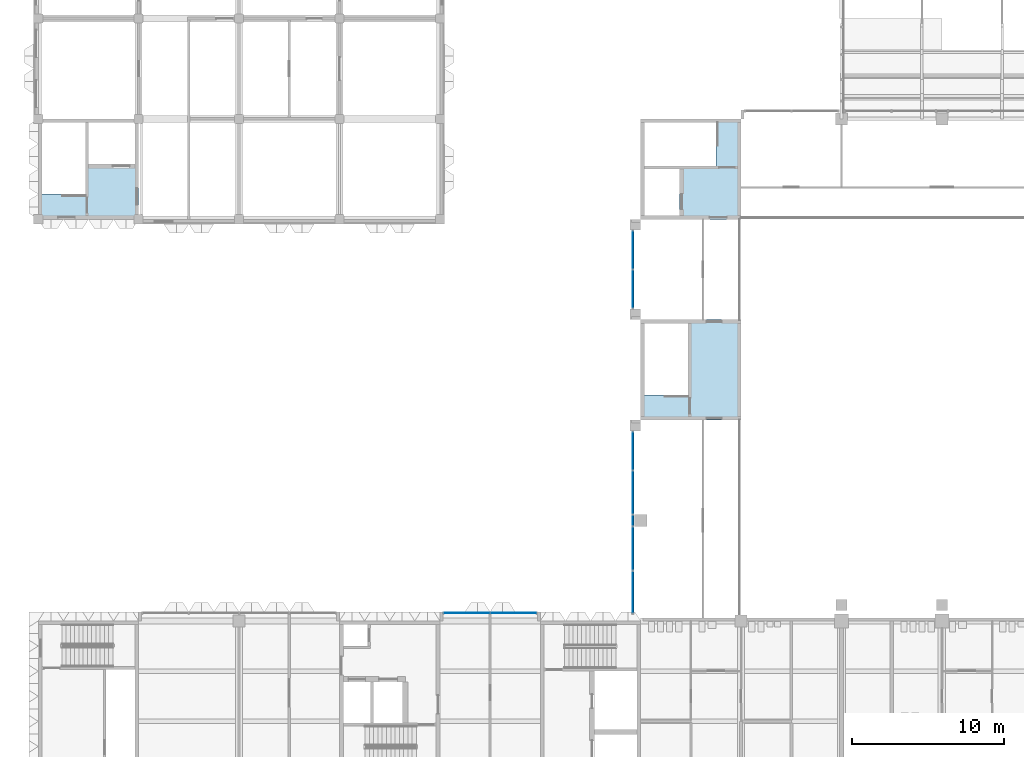
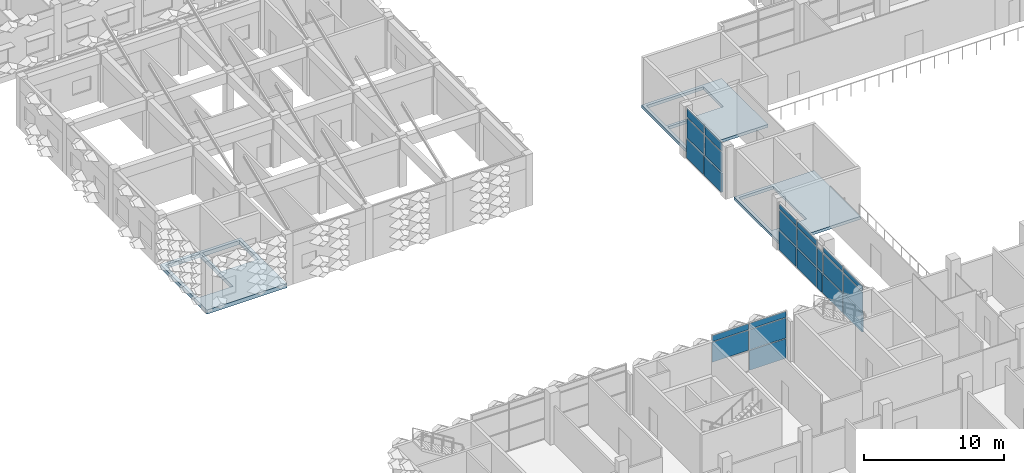
# One storey, part 35 of 102: 25 plates, 3 slabs, 3 elements without a shape of their own.
"""IFC4 building model written with IfcOpenShell, lengths in metres."""

from ifc_helpers import new_model, si_unit, direction, frame, origin, origin_2d, place, context, subcontext, project, spatial, polyline, rectangle, outline, extrude, material, layer, layer_set, type_object, element, aggregate, save


model = new_model("IFC4")

# Units and contexts
model_context = context("Model", 3, precision=1e-05, world=origin(), true_north=direction((0.0, 1.0)))
body_context = subcontext(model_context, "Body", "Model", "MODEL_VIEW")
ifc_project = project(units=[si_unit("LENGTHUNIT", "METRE"), si_unit("AREAUNIT", "SQUARE_METRE"), si_unit("VOLUMEUNIT", "CUBIC_METRE"), si_unit("PLANEANGLEUNIT", "RADIAN"), si_unit("MASSUNIT", "GRAM", prefix="KILO")], contexts=[model_context])

# Site, building, storey
site_placement = place(None, origin())
site = spatial("IfcSite", under=ifc_project, at=site_placement, CompositionType="ELEMENT")
building_placement = place(site_placement, origin())
building = spatial("IfcBuilding", under=site, at=building_placement, Name="Lantern Court Research Institute", CompositionType="ELEMENT")
storey_placement = place(building_placement, frame((0.0, 0.0, 9.89990234375)))
storey = spatial("IfcBuildingStorey", under=building, at=storey_placement, Name="L02", CompositionType="ELEMENT", Elevation=9.89990234375)

# Curtain wall, plates
ifc_material_1 = material(Name="Aluminium alloy 6063-T6", Category="aluminium")
curtain_wall_type_1 = type_object("IfcCurtainWallType", Name="Curtain wall 12050 x 4200 x 150 aluminium frame", PredefinedType="NOTDEFINED", material=ifc_material_1)
curtain_wall_1_placement = place(storey_placement, origin())
curtain_wall_1 = element("IfcCurtainWall", 1, at=curtain_wall_1_placement, inside=storey, type_object=curtain_wall_type_1, Name="Curtain wall CW037", PredefinedType="NOTDEFINED")
ifc_material_2 = material(Name="Fire-resisting insulated aluminium spandrel panel", Category="aluminium")
ifc_layer_1 = layer(ifc_material_2, 0.1201171875)
ifc_layer_set_1 = layer_set([ifc_layer_1], Name="Fire-resisting insulated aluminium spandrel panel")
plate_type_1 = type_object("IfcPlateType", Name="Fire-resisting spandrel panel 120 mm", PredefinedType="CURTAIN_PANEL", material=ifc_layer_set_1)
plate_1_placement = place(storey_placement, frame((39.074951171875, 25.0, 0.10009765625), z_axis=(0.0, 0.0, 1.0), x_axis=(0.0, 1.0, 0.0)))
plate_1 = element("IfcPlate", 2, at=plate_1_placement, type_object=plate_type_1, Name="CW037 spandrel panel 1.1", PredefinedType="CURTAIN_PANEL", context=body_context, shape_type="SweptSolid", body=[
    extrude(rectangle(XDim=2.699951171875, YDim=0.1201171875, at=origin_2d()), origin(), (0.0, 0.0, 1.0), 1.64990234375),
])
plate_2_placement = place(storey_placement, frame((39.074951171875, 27.85009765625, 0.10009765625), z_axis=(0.0, 0.0, 1.0), x_axis=(0.0, 1.0, 0.0)))
plate_2 = element("IfcPlate", 3, at=plate_2_placement, type_object=plate_type_1, Name="CW037 spandrel panel 2.1", PredefinedType="CURTAIN_PANEL", context=body_context, shape_type="SweptSolid", body=[
    extrude(rectangle(XDim=2.800048828125, YDim=0.1201171875, at=origin_2d()), origin(), (0.0, 0.0, 1.0), 1.64990234375),
])
plate_3_placement = place(storey_placement, frame((39.074951171875, 29.699951171875, 0.10009765625), z_axis=(0.0, 0.0, 1.0), x_axis=(0.0, 1.0, 0.0)))
plate_3 = element("IfcPlate", 4, at=plate_3_placement, type_object=plate_type_1, Name="CW037 spandrel panel 3.1", PredefinedType="CURTAIN_PANEL", context=body_context, shape_type="SweptSolid", body=[
    extrude(rectangle(XDim=0.699951171875, YDim=0.1201171875, at=origin_2d()), origin(), (0.0, 0.0, 1.0), 1.64990234375),
])
plate_4_placement = place(storey_placement, frame((39.074951171875, 31.550048828125, 0.10009765625), z_axis=(0.0, 0.0, 1.0), x_axis=(0.0, 1.0, 0.0)))
plate_4 = element("IfcPlate", 5, at=plate_4_placement, type_object=plate_type_1, Name="CW037 spandrel panel 4.1", PredefinedType="CURTAIN_PANEL", context=body_context, shape_type="SweptSolid", body=[
    extrude(rectangle(XDim=2.800048828125, YDim=0.1201171875, at=origin_2d()), origin(), (0.0, 0.0, 1.0), 1.64990234375),
])
plate_5_placement = place(storey_placement, frame((39.074951171875, 34.27490234375, 0.10009765625), z_axis=(0.0, 0.0, 1.0), x_axis=(0.0, 1.0, 0.0)))
plate_5 = element("IfcPlate", 6, at=plate_5_placement, type_object=plate_type_1, Name="CW037 spandrel panel 5.1", PredefinedType="CURTAIN_PANEL", context=body_context, shape_type="SweptSolid", body=[
    extrude(rectangle(XDim=2.449951171875, YDim=0.1201171875, at=origin_2d()), origin(), (0.0, 0.0, 1.0), 1.64990234375),
])

ifc_material_3 = material(Name="Aluminium alloy 6063-T6", Category="aluminium")
curtain_wall_type_2 = type_object("IfcCurtainWallType", Name="Curtain wall 5200 x 4500 x 150 aluminium frame", PredefinedType="NOTDEFINED", material=ifc_material_3)
curtain_wall_2_placement = place(storey_placement, origin())
curtain_wall_2 = element("IfcCurtainWall", 7, at=curtain_wall_2_placement, inside=storey, type_object=curtain_wall_type_2, Name="Curtain wall CW038", PredefinedType="NOTDEFINED")
plate_6_placement = place(storey_placement, frame((39.074951171875, 44.925048828125, 0.10009765625), z_axis=(0.0, 0.0, 1.0), x_axis=(0.0, 1.0, 0.0)))
plate_6 = element("IfcPlate", 8, at=plate_6_placement, type_object=plate_type_1, Name="CW038 spandrel panel 1.1", PredefinedType="CURTAIN_PANEL", context=body_context, shape_type="SweptSolid", body=[
    extrude(rectangle(XDim=2.449951171875, YDim=0.1201171875, at=origin_2d()), origin(), (0.0, 0.0, 1.0), 1.64990234375),
])
plate_7_placement = place(storey_placement, frame((39.074951171875, 47.47509765625, 0.10009765625), z_axis=(0.0, 0.0, 1.0), x_axis=(0.0, 1.0, 0.0)))
plate_7 = element("IfcPlate", 9, at=plate_7_placement, type_object=plate_type_1, Name="CW038 spandrel panel 2.1", PredefinedType="CURTAIN_PANEL", context=body_context, shape_type="SweptSolid", body=[
    extrude(rectangle(XDim=2.449951171875, YDim=0.1201171875, at=origin_2d()), origin(), (0.0, 0.0, 1.0), 1.64990234375),
])

# Curtain wall, plate
ifc_material_4 = material(Name="Aluminium alloy 6063-T6", Category="aluminium")
curtain_wall_type_3 = type_object("IfcCurtainWallType", Name="Curtain wall 6200 x 4200 x 150 aluminium frame", PredefinedType="NOTDEFINED", material=ifc_material_4)
curtain_wall_3_placement = place(storey_placement, origin())
curtain_wall_3 = element("IfcCurtainWall", 10, at=curtain_wall_3_placement, inside=storey, type_object=curtain_wall_type_3, Name="Curtain wall CW040", PredefinedType="NOTDEFINED")
ifc_material_5 = material(Name="Insulated aluminium spandrel panel", Category="aluminium")
ifc_layer_2 = layer(ifc_material_5, 0.06005859375)
ifc_layer_set_2 = layer_set([ifc_layer_2], Name="Insulated aluminium spandrel panel")
plate_type_2 = type_object("IfcPlateType", Name="Insulated spandrel panel 60 mm", PredefinedType="CURTAIN_PANEL", material=ifc_layer_set_2)
plate_8_placement = place(storey_placement, frame((31.235107421875, 23.625, 0.06005859375), z_axis=(0.0, 0.0, 1.0), x_axis=(1.0, 0.0, 0.0)))
plate_8 = element("IfcPlate", 11, at=plate_8_placement, type_object=plate_type_2, Name="CW040 spandrel panel 2.1", PredefinedType="CURTAIN_PANEL", context=body_context, shape_type="SweptSolid", body=[
    extrude(rectangle(XDim=3.010009765625, YDim=0.06005859375, at=origin_2d()), origin(), (0.0, 0.0, 1.0), 1.7099609375),
])

# Plate
ifc_material_6 = material(Name="Laminated low-emissivity glass", Category="glass")
ifc_layer_3 = layer(ifc_material_6, 0.028076171875)
ifc_layer_set_3 = layer_set([ifc_layer_3], Name="Laminated low-emissivity glass")
plate_type_3 = type_object("IfcPlateType", Name="Laminated low-emissivity unit 28 mm", PredefinedType="CURTAIN_PANEL", material=ifc_layer_set_3)
plate_9_placement = place(storey_placement, frame((39.074951171875, 25.0, 1.85009765625), z_axis=(0.0, 0.0, 1.0), x_axis=(0.0, 1.0, 0.0)))
plate_9 = element("IfcPlate", 12, at=plate_9_placement, type_object=plate_type_3, Name="CW037 glazed panel 1.2", PredefinedType="CURTAIN_PANEL", context=body_context, shape_type="SweptSolid", body=[
    extrude(rectangle(XDim=2.699951171875, YDim=0.028076171875, at=origin_2d()), origin(), (0.0, 0.0, 1.0), 1.699951171875),
])

plate_10_placement = place(storey_placement, frame((39.074951171875, 25.0, 3.64990234375), z_axis=(0.0, 0.0, 1.0), x_axis=(0.0, 1.0, 0.0)))
plate_10 = element("IfcPlate", 13, at=plate_10_placement, type_object=plate_type_3, Name="CW037 glazed panel 1.3", PredefinedType="CURTAIN_PANEL", context=body_context, shape_type="SweptSolid", body=[
    extrude(rectangle(XDim=2.699951171875, YDim=0.028076171875, at=origin_2d()), origin(), (0.0, 0.0, 1.0), 0.449951171875),
])

plate_11_placement = place(storey_placement, frame((39.074951171875, 27.85009765625, 1.85009765625), z_axis=(0.0, 0.0, 1.0), x_axis=(0.0, 1.0, 0.0)))
plate_11 = element("IfcPlate", 14, at=plate_11_placement, type_object=plate_type_3, Name="CW037 glazed panel 2.2", PredefinedType="CURTAIN_PANEL", context=body_context, shape_type="SweptSolid", body=[
    extrude(rectangle(XDim=2.800048828125, YDim=0.028076171875, at=origin_2d()), origin(), (0.0, 0.0, 1.0), 1.699951171875),
])

plate_12_placement = place(storey_placement, frame((39.074951171875, 27.85009765625, 3.64990234375), z_axis=(0.0, 0.0, 1.0), x_axis=(0.0, 1.0, 0.0)))
plate_12 = element("IfcPlate", 15, at=plate_12_placement, type_object=plate_type_3, Name="CW037 glazed panel 2.3", PredefinedType="CURTAIN_PANEL", context=body_context, shape_type="SweptSolid", body=[
    extrude(rectangle(XDim=2.800048828125, YDim=0.028076171875, at=origin_2d()), origin(), (0.0, 0.0, 1.0), 0.449951171875),
])

plate_13_placement = place(storey_placement, frame((39.074951171875, 29.699951171875, 1.85009765625), z_axis=(0.0, 0.0, 1.0), x_axis=(0.0, 1.0, 0.0)))
plate_13 = element("IfcPlate", 16, at=plate_13_placement, type_object=plate_type_3, Name="CW037 glazed panel 3.2", PredefinedType="CURTAIN_PANEL", context=body_context, shape_type="SweptSolid", body=[
    extrude(rectangle(XDim=0.699951171875, YDim=0.028076171875, at=origin_2d()), origin(), (0.0, 0.0, 1.0), 1.699951171875),
])

plate_14_placement = place(storey_placement, frame((39.074951171875, 31.550048828125, 1.85009765625), z_axis=(0.0, 0.0, 1.0), x_axis=(0.0, 1.0, 0.0)))
plate_14 = element("IfcPlate", 17, at=plate_14_placement, type_object=plate_type_3, Name="CW037 glazed panel 4.2", PredefinedType="CURTAIN_PANEL", context=body_context, shape_type="SweptSolid", body=[
    extrude(rectangle(XDim=2.800048828125, YDim=0.028076171875, at=origin_2d()), origin(), (0.0, 0.0, 1.0), 1.699951171875),
])

plate_15_placement = place(storey_placement, frame((39.074951171875, 31.550048828125, 3.64990234375), z_axis=(0.0, 0.0, 1.0), x_axis=(0.0, 1.0, 0.0)))
plate_15 = element("IfcPlate", 18, at=plate_15_placement, type_object=plate_type_3, Name="CW037 glazed panel 4.3", PredefinedType="CURTAIN_PANEL", context=body_context, shape_type="SweptSolid", body=[
    extrude(rectangle(XDim=2.800048828125, YDim=0.028076171875, at=origin_2d()), origin(), (0.0, 0.0, 1.0), 0.449951171875),
])

plate_16_placement = place(storey_placement, frame((39.074951171875, 34.27490234375, 1.85009765625), z_axis=(0.0, 0.0, 1.0), x_axis=(0.0, 1.0, 0.0)))
plate_16 = element("IfcPlate", 19, at=plate_16_placement, type_object=plate_type_3, Name="CW037 glazed panel 5.2", PredefinedType="CURTAIN_PANEL", context=body_context, shape_type="SweptSolid", body=[
    extrude(rectangle(XDim=2.449951171875, YDim=0.028076171875, at=origin_2d()), origin(), (0.0, 0.0, 1.0), 1.699951171875),
])

plate_17_placement = place(storey_placement, frame((39.074951171875, 34.27490234375, 3.64990234375), z_axis=(0.0, 0.0, 1.0), x_axis=(0.0, 1.0, 0.0)))
plate_17 = element("IfcPlate", 20, at=plate_17_placement, type_object=plate_type_3, Name="CW037 glazed panel 5.3", PredefinedType="CURTAIN_PANEL", context=body_context, shape_type="SweptSolid", body=[
    extrude(rectangle(XDim=2.449951171875, YDim=0.028076171875, at=origin_2d()), origin(), (0.0, 0.0, 1.0), 0.449951171875),
])

aggregate(curtain_wall_1, [plate_1, plate_9, plate_10, plate_2, plate_11, plate_12, plate_3, plate_13, plate_4, plate_14, plate_15, plate_5, plate_16, plate_17])

plate_18_placement = place(storey_placement, frame((39.074951171875, 44.925048828125, 1.85009765625), z_axis=(0.0, 0.0, 1.0), x_axis=(0.0, 1.0, 0.0)))
plate_18 = element("IfcPlate", 21, at=plate_18_placement, type_object=plate_type_3, Name="CW038 glazed panel 1.2", PredefinedType="CURTAIN_PANEL", context=body_context, shape_type="SweptSolid", body=[
    extrude(rectangle(XDim=2.449951171875, YDim=0.028076171875, at=origin_2d()), origin(), (0.0, 0.0, 1.0), 1.699951171875),
])

plate_19_placement = place(storey_placement, frame((39.074951171875, 44.925048828125, 3.650146484375), z_axis=(0.0, 0.0, 1.0), x_axis=(0.0, 1.0, 0.0)))
plate_19 = element("IfcPlate", 22, at=plate_19_placement, type_object=plate_type_3, Name="CW038 glazed panel 1.3", PredefinedType="CURTAIN_PANEL", context=body_context, shape_type="SweptSolid", body=[
    extrude(rectangle(XDim=2.449951171875, YDim=0.028076171875, at=origin_2d()), origin(), (0.0, 0.0, 1.0), 0.75),
])

plate_20_placement = place(storey_placement, frame((39.074951171875, 47.47509765625, 1.85009765625), z_axis=(0.0, 0.0, 1.0), x_axis=(0.0, 1.0, 0.0)))
plate_20 = element("IfcPlate", 23, at=plate_20_placement, type_object=plate_type_3, Name="CW038 glazed panel 2.2", PredefinedType="CURTAIN_PANEL", context=body_context, shape_type="SweptSolid", body=[
    extrude(rectangle(XDim=2.449951171875, YDim=0.028076171875, at=origin_2d()), origin(), (0.0, 0.0, 1.0), 1.699951171875),
])

plate_21_placement = place(storey_placement, frame((39.074951171875, 47.47509765625, 3.650146484375), z_axis=(0.0, 0.0, 1.0), x_axis=(0.0, 1.0, 0.0)))
plate_21 = element("IfcPlate", 24, at=plate_21_placement, type_object=plate_type_3, Name="CW038 glazed panel 2.3", PredefinedType="CURTAIN_PANEL", context=body_context, shape_type="SweptSolid", body=[
    extrude(rectangle(XDim=2.449951171875, YDim=0.028076171875, at=origin_2d()), origin(), (0.0, 0.0, 1.0), 0.75),
])

aggregate(curtain_wall_2, [plate_6, plate_18, plate_19, plate_7, plate_20, plate_21])

plate_22_placement = place(storey_placement, frame((28.1650390625, 23.625, 1.830078125), z_axis=(0.0, 0.0, 1.0), x_axis=(1.0, 0.0, 0.0)))
plate_22 = element("IfcPlate", 25, at=plate_22_placement, type_object=plate_type_3, Name="CW040 glazed panel 1.2", PredefinedType="CURTAIN_PANEL", context=body_context, shape_type="SweptSolid", body=[
    extrude(rectangle(XDim=3.010009765625, YDim=0.028076171875, at=origin_2d()), origin(), (0.0, 0.0, 1.0), 1.739990234375),
])

plate_23_placement = place(storey_placement, frame((28.1650390625, 23.625, 3.6298828125), z_axis=(0.0, 0.0, 1.0), x_axis=(1.0, 0.0, 0.0)))
plate_23 = element("IfcPlate", 26, at=plate_23_placement, type_object=plate_type_3, Name="CW040 glazed panel 1.3", PredefinedType="CURTAIN_PANEL", context=body_context, shape_type="SweptSolid", body=[
    extrude(rectangle(XDim=3.010009765625, YDim=0.028076171875, at=origin_2d()), origin(), (0.0, 0.0, 1.0), 0.510009765625),
])

plate_24_placement = place(storey_placement, frame((31.235107421875, 23.625, 1.830078125), z_axis=(0.0, 0.0, 1.0), x_axis=(1.0, 0.0, 0.0)))
plate_24 = element("IfcPlate", 27, at=plate_24_placement, type_object=plate_type_3, Name="CW040 glazed panel 2.2", PredefinedType="CURTAIN_PANEL", context=body_context, shape_type="SweptSolid", body=[
    extrude(rectangle(XDim=3.010009765625, YDim=0.028076171875, at=origin_2d()), origin(), (0.0, 0.0, 1.0), 1.739990234375),
])

plate_25_placement = place(storey_placement, frame((31.235107421875, 23.625, 3.6298828125), z_axis=(0.0, 0.0, 1.0), x_axis=(1.0, 0.0, 0.0)))
plate_25 = element("IfcPlate", 28, at=plate_25_placement, type_object=plate_type_3, Name="CW040 glazed panel 2.3", PredefinedType="CURTAIN_PANEL", context=body_context, shape_type="SweptSolid", body=[
    extrude(rectangle(XDim=3.010009765625, YDim=0.028076171875, at=origin_2d()), origin(), (0.0, 0.0, 1.0), 0.510009765625),
])

aggregate(curtain_wall_3, [plate_22, plate_23, plate_8, plate_24, plate_25])

# Slabs
ifc_material_7 = material(Name="Concrete C35/45", Category="concrete")
ifc_layer_4 = layer(ifc_material_7, 0.25)
ifc_layer_set_4 = layer_set([ifc_layer_4], Name="Concrete C35/45")
slab_type_1 = type_object("IfcSlabType", Name="RC core floor slab 250", PredefinedType="FLOOR", material=ifc_layer_set_4)
slab_1_placement = place(storey_placement, frame((0.0, 0.0, -0.25)))
element("IfcSlab", 29, at=slab_1_placement, inside=storey, type_object=slab_type_1, Name="Floor of core HC-A", PredefinedType="FLOOR", context=body_context, shape_type="SweptSolid", body=[
    extrude(outline(polyline([(39.60009765625, 49.5), (46.199951171875, 49.5), (46.199951171875, 56.10009765625), (39.60009765625, 56.10009765625), (39.60009765625, 49.5)]), holes=[polyline([(44.550048828125, 55.85009765625), (39.85009765625, 55.85009765625), (39.85009765625, 53.0), (44.550048828125, 53.0), (44.550048828125, 55.85009765625)]), polyline([(39.85009765625, 49.75), (42.14990234375, 49.75), (42.14990234375, 52.800048828125), (39.85009765625, 52.800048828125), (39.85009765625, 49.75)])]), origin(), (0.0, 0.0, 1.0), 0.25),
])
slab_2_placement = place(storey_placement, frame((0.0, 0.0, -0.25)))
element("IfcSlab", 30, at=slab_2_placement, inside=storey, type_object=slab_type_1, Name="Floor of core HC-C", PredefinedType="FLOOR", context=body_context, shape_type="SweptSolid", body=[
    extrude(outline(polyline([(39.60009765625, 36.300048828125), (46.199951171875, 36.300048828125), (46.199951171875, 42.89990234375), (39.60009765625, 42.89990234375), (39.60009765625, 36.300048828125)]), holes=[polyline([(42.699951171875, 37.949951171875), (42.699951171875, 42.64990234375), (39.85009765625, 42.64990234375), (39.85009765625, 37.949951171875), (42.699951171875, 37.949951171875)])]), origin(), (0.0, 0.0, 1.0), 0.25),
])
ifc_material_8 = material(Name="Concrete C35/45", Category="concrete")
ifc_layer_5 = layer(ifc_material_8, 0.35009765625)
ifc_layer_set_5 = layer_set([ifc_layer_5], Name="Concrete C35/45")
slab_type_2 = type_object("IfcSlabType", Name="RC core floor slab 350", PredefinedType="FLOOR", material=ifc_layer_set_5)
slab_3_placement = place(storey_placement, frame((0.0, 0.0, -0.349853515625)))
element("IfcSlab", 31, at=slab_3_placement, inside=storey, type_object=slab_type_2, Name="Floor of core CC-A", PredefinedType="FLOOR", context=body_context, shape_type="SweptSolid", body=[
    extrude(outline(polyline([(0.0, 49.5), (6.60009765625, 49.5), (6.60009765625, 56.10009765625), (0.0, 56.10009765625), (0.0, 49.5)]), holes=[polyline([(3.10009765625, 51.14990234375), (3.10009765625, 55.85009765625), (0.25, 55.85009765625), (0.25, 51.14990234375), (3.10009765625, 51.14990234375)]), polyline([(3.300048828125, 53.14990234375), (6.35009765625, 53.14990234375), (6.35009765625, 55.85009765625), (3.300048828125, 55.85009765625), (3.300048828125, 53.14990234375)])]), origin(), (0.0, 0.0, 1.0), 0.349853515625),
])

save(model, "model.ifc")
